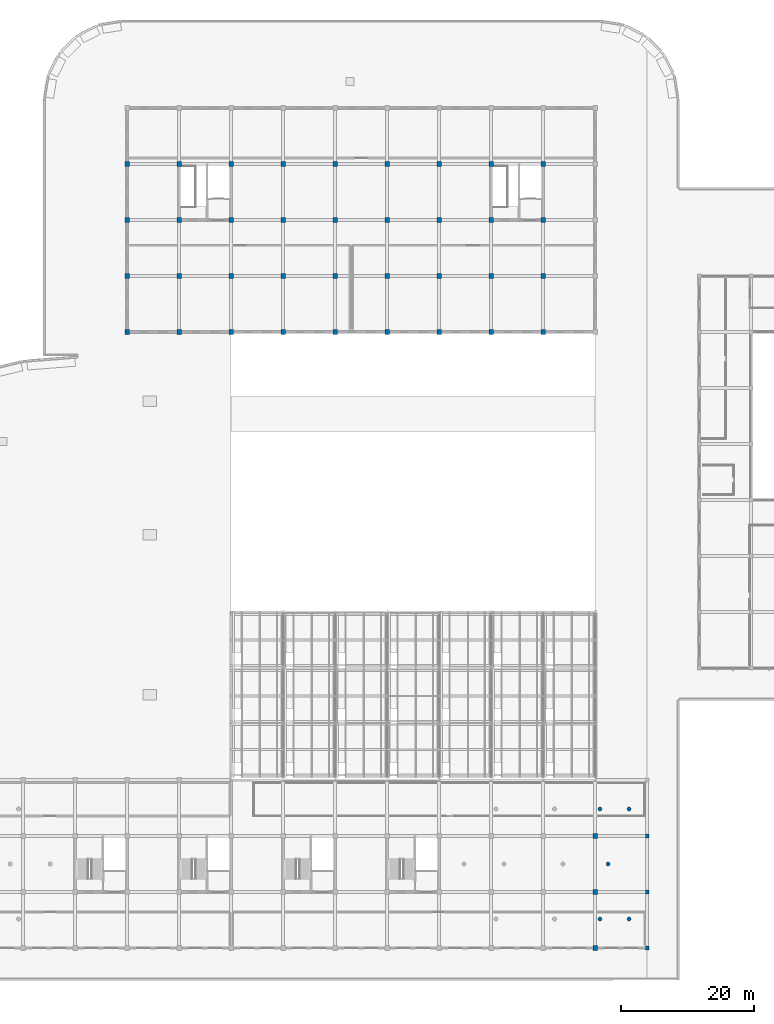
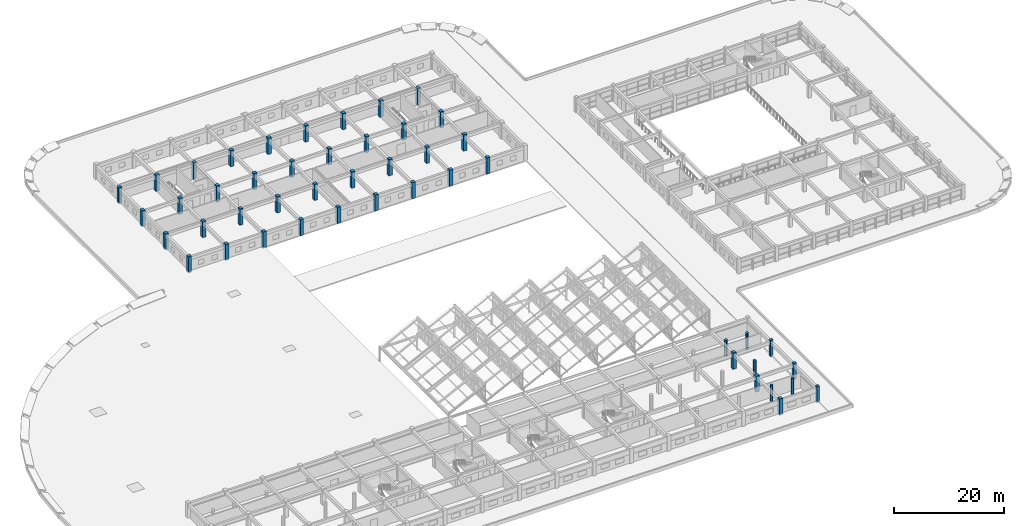
# One storey, part 6 of 101: 47 columns.
"""IFC4 building model written with IfcOpenShell, lengths in metres."""

from ifc_helpers import new_model, si_unit, direction, frame, origin, origin_2d, place, context, subcontext, project, spatial, rectangle, circle, extrude, material, material_profile, profile_set, type_object, element, save


model = new_model("IFC4")

# Units and contexts
model_context = context("Model", 3, precision=1e-05, world=origin(), true_north=direction((0.0, 1.0)))
body_context = subcontext(model_context, "Body", "Model", "MODEL_VIEW")
ifc_project = project(units=[si_unit("LENGTHUNIT", "METRE"), si_unit("AREAUNIT", "SQUARE_METRE"), si_unit("VOLUMEUNIT", "CUBIC_METRE"), si_unit("PLANEANGLEUNIT", "RADIAN"), si_unit("MASSUNIT", "GRAM", prefix="KILO")], contexts=[model_context])

# Site, building, storey
site_placement = place(None, origin())
site = spatial("IfcSite", under=ifc_project, at=site_placement, CompositionType="ELEMENT")
building_placement = place(site_placement, origin())
building = spatial("IfcBuilding", under=site, at=building_placement, Name="Zizhar Promenade General Hospital", CompositionType="ELEMENT")
storey_placement = place(building_placement, frame((0.0, 0.0, 14.39990234375)))
storey = spatial("IfcBuildingStorey", under=building, at=storey_placement, Name="L03", CompositionType="ELEMENT", Elevation=14.39990234375)

# Columns
ifc_material_1 = material(Name="Concrete C40/50", Category="concrete")
ifc_material_profile_1 = material_profile(ifc_material_1, circle(Radius=0.300048828125, at=origin_2d()))
ifc_profile_set_1 = profile_set([ifc_material_profile_1], Name="Concrete C40/50")
column_type_1 = type_object("IfcColumnType", Name="COL-CIRC-600", PredefinedType="PILASTER", material=ifc_profile_set_1)
for number, where, z_axis, x_axis, name in (
    (1, (129.89990234375, 4.35009765625, 0.0), (0.0, 0.0, 1.0), (1.0, 0.0, 0.0), "Ward Terrace Interior Support Column L06-E0 (L03)"),
    (2, (129.89990234375, 20.85009765625, 0.0), (0.0, 0.0, 1.0), (1.0, 0.0, 0.0), "Ward Terrace Interior Support Column L06-E1 (L03)"),
    (3, (126.75, 12.60009765625, 0.0), (0.0, 0.0, 1.0), (1.0, 0.0, 0.0), "Ward Terrace Interior Support Column L06-E2 (L03)"),
    (4, (125.5, 4.35009765625, 0.0), (0.0, 0.0, 1.0), (1.0, 0.0, 0.0), "Ward Terrace Interior Support Column L07-E0 (L03)"),
    (5, (125.5, 20.85009765625, 0.0), (0.0, 0.0, 1.0), (1.0, 0.0, 0.0), "Ward Terrace Interior Support Column L07-E1 (L03)"),
):
    element("IfcColumn", number, at=place(storey_placement, frame(where, z_axis=z_axis, x_axis=x_axis)), inside=storey, type_object=column_type_1, Name=name, PredefinedType="PILASTER", context=body_context, shape_type="SweptSolid", body=[
        extrude(circle(Radius=0.300048828125, at=origin_2d()), origin(), (0.0, 0.0, 1.0), 3.60009765625),
    ])
ifc_material_2 = material(Name="Concrete C40/50", Category="concrete")
ifc_material_profile_2 = material_profile(ifc_material_2, rectangle(XDim=0.580078125, YDim=0.580078125, at=origin_2d()))
ifc_profile_set_2 = profile_set([ifc_material_profile_2], Name="Concrete C40/50")
column_type_2 = type_object("IfcColumnType", Name="COL-RC-580", PredefinedType="COLUMN", material=ifc_profile_set_2)
for number, where, z_axis, x_axis, name in (
    (6, (132.60009765625, 0.0, 0.0), (0.0, 0.0, 1.0), (1.0, 0.0, 0.0), "Column 18-A (L03)"),
    (7, (132.60009765625, 8.39990234375, 0.0), (0.0, 0.0, 1.0), (1.0, 0.0, 0.0), "Column 18-B (L03)"),
    (8, (132.60009765625, 16.800048828125, 0.0), (0.0, 0.0, 1.0), (1.0, 0.0, 0.0), "Column 18-C (L03)"),
):
    element("IfcColumn", number, at=place(storey_placement, frame(where, z_axis=z_axis, x_axis=x_axis)), inside=storey, type_object=column_type_2, Name=name, PredefinedType="COLUMN", context=body_context, shape_type="SweptSolid", body=[
        extrude(rectangle(XDim=0.580078125, YDim=0.580078125, at=origin_2d()), origin(), (0.0, 0.0, 1.0), 3.60009765625),
    ])
ifc_material_3 = material(Name="Concrete C40/50", Category="concrete")
ifc_material_profile_3 = material_profile(ifc_material_3, rectangle(XDim=0.699951171875, YDim=0.699951171875, at=origin_2d()))
ifc_profile_set_3 = profile_set([ifc_material_profile_3], Name="Concrete C40/50")
column_type_3 = type_object("IfcColumnType", Name="COL-RC-700", PredefinedType="COLUMN", material=ifc_profile_set_3)
for number, where, z_axis, x_axis, name in (
    (9, (54.60009765625, 92.39990234375, 0.0), (0.0, 0.0, 1.0), (1.0, 0.0, 0.0), "Column 8-M (L03)"),
    (10, (54.60009765625, 100.800048828125, 0.0), (0.0, 0.0, 1.0), (1.0, 0.0, 0.0), "Column 8-N (L03)"),
    (11, (54.60009765625, 109.199951171875, 0.0), (0.0, 0.0, 1.0), (1.0, 0.0, 0.0), "Column 8-P (L03)"),
    (12, (54.60009765625, 117.60009765625, 0.0), (0.0, 0.0, 1.0), (1.0, 0.0, 0.0), "Column 8-Q (L03)"),
    (13, (62.39990234375, 92.39990234375, 0.0), (0.0, 0.0, 1.0), (1.0, 0.0, 0.0), "Column 9-M (L03)"),
    (14, (62.39990234375, 100.800048828125, 0.0), (0.0, 0.0, 1.0), (1.0, 0.0, 0.0), "Column 9-N (L03)"),
    (15, (62.39990234375, 109.199951171875, 0.0), (0.0, 0.0, 1.0), (1.0, 0.0, 0.0), "Column 9-P (L03)"),
    (16, (62.39990234375, 117.60009765625, 0.0), (0.0, 0.0, 1.0), (1.0, 0.0, 0.0), "Column 9-Q (L03)"),
    (17, (70.199951171875, 92.39990234375, 0.0), (0.0, 0.0, 1.0), (1.0, 0.0, 0.0), "Column 10-M (L03)"),
    (18, (70.199951171875, 100.800048828125, 0.0), (0.0, 0.0, 1.0), (1.0, 0.0, 0.0), "Column 10-N (L03)"),
    (19, (70.199951171875, 109.199951171875, 0.0), (0.0, 0.0, 1.0), (1.0, 0.0, 0.0), "Column 10-P (L03)"),
    (20, (70.199951171875, 117.60009765625, 0.0), (0.0, 0.0, 1.0), (1.0, 0.0, 0.0), "Column 10-Q (L03)"),
    (21, (78.0, 92.39990234375, 0.0), (0.0, 0.0, 1.0), (1.0, 0.0, 0.0), "Column 11-M (L03)"),
    (22, (78.0, 100.800048828125, 0.0), (0.0, 0.0, 1.0), (1.0, 0.0, 0.0), "Column 11-N (L03)"),
    (23, (78.0, 109.199951171875, 0.0), (0.0, 0.0, 1.0), (1.0, 0.0, 0.0), "Column 11-P (L03)"),
    (24, (78.0, 117.60009765625, 0.0), (0.0, 0.0, 1.0), (1.0, 0.0, 0.0), "Column 11-Q (L03)"),
    (25, (85.800048828125, 92.39990234375, 0.0), (0.0, 0.0, 1.0), (1.0, 0.0, 0.0), "Column 12-M (L03)"),
    (26, (85.800048828125, 100.800048828125, 0.0), (0.0, 0.0, 1.0), (1.0, 0.0, 0.0), "Column 12-N (L03)"),
    (27, (85.800048828125, 109.199951171875, 0.0), (0.0, 0.0, 1.0), (1.0, 0.0, 0.0), "Column 12-P (L03)"),
    (28, (85.800048828125, 117.60009765625, 0.0), (0.0, 0.0, 1.0), (1.0, 0.0, 0.0), "Column 12-Q (L03)"),
    (29, (93.60009765625, 92.39990234375, 0.0), (0.0, 0.0, 1.0), (1.0, 0.0, 0.0), "Column 13-M (L03)"),
    (30, (93.60009765625, 100.800048828125, 0.0), (0.0, 0.0, 1.0), (1.0, 0.0, 0.0), "Column 13-N (L03)"),
    (31, (93.60009765625, 109.199951171875, 0.0), (0.0, 0.0, 1.0), (1.0, 0.0, 0.0), "Column 13-P (L03)"),
    (32, (93.60009765625, 117.60009765625, 0.0), (0.0, 0.0, 1.0), (1.0, 0.0, 0.0), "Column 13-Q (L03)"),
    (33, (101.39990234375, 92.39990234375, 0.0), (0.0, 0.0, 1.0), (1.0, 0.0, 0.0), "Column 14-M (L03)"),
    (34, (101.39990234375, 100.800048828125, 0.0), (0.0, 0.0, 1.0), (1.0, 0.0, 0.0), "Column 14-N (L03)"),
    (35, (101.39990234375, 109.199951171875, 0.0), (0.0, 0.0, 1.0), (1.0, 0.0, 0.0), "Column 14-P (L03)"),
    (36, (101.39990234375, 117.60009765625, 0.0), (0.0, 0.0, 1.0), (1.0, 0.0, 0.0), "Column 14-Q (L03)"),
    (37, (109.199951171875, 92.39990234375, 0.0), (0.0, 0.0, 1.0), (1.0, 0.0, 0.0), "Column 15-M (L03)"),
    (38, (109.199951171875, 100.800048828125, 0.0), (0.0, 0.0, 1.0), (1.0, 0.0, 0.0), "Column 15-N (L03)"),
    (39, (109.199951171875, 109.199951171875, 0.0), (0.0, 0.0, 1.0), (1.0, 0.0, 0.0), "Column 15-P (L03)"),
    (40, (109.199951171875, 117.60009765625, 0.0), (0.0, 0.0, 1.0), (1.0, 0.0, 0.0), "Column 15-Q (L03)"),
    (41, (117.0, 92.39990234375, 0.0), (0.0, 0.0, 1.0), (1.0, 0.0, 0.0), "Column 16-M (L03)"),
    (42, (117.0, 100.800048828125, 0.0), (0.0, 0.0, 1.0), (1.0, 0.0, 0.0), "Column 16-N (L03)"),
    (43, (117.0, 109.199951171875, 0.0), (0.0, 0.0, 1.0), (1.0, 0.0, 0.0), "Column 16-P (L03)"),
    (44, (117.0, 117.60009765625, 0.0), (0.0, 0.0, 1.0), (1.0, 0.0, 0.0), "Column 16-Q (L03)"),
    (45, (124.800048828125, 0.0, 0.0), (0.0, 0.0, 1.0), (1.0, 0.0, 0.0), "Column 17-A (L03)"),
    (46, (124.800048828125, 8.39990234375, 0.0), (0.0, 0.0, 1.0), (1.0, 0.0, 0.0), "Column 17-B (L03)"),
    (47, (124.800048828125, 16.800048828125, 0.0), (0.0, 0.0, 1.0), (1.0, 0.0, 0.0), "Column 17-C (L03)"),
):
    element("IfcColumn", number, at=place(storey_placement, frame(where, z_axis=z_axis, x_axis=x_axis)), inside=storey, type_object=column_type_3, Name=name, PredefinedType="COLUMN", context=body_context, shape_type="SweptSolid", body=[
        extrude(rectangle(XDim=0.699951171875, YDim=0.699951171875, at=origin_2d()), origin(), (0.0, 0.0, 1.0), 3.60009765625),
    ])

save(model, "model.ifc")
